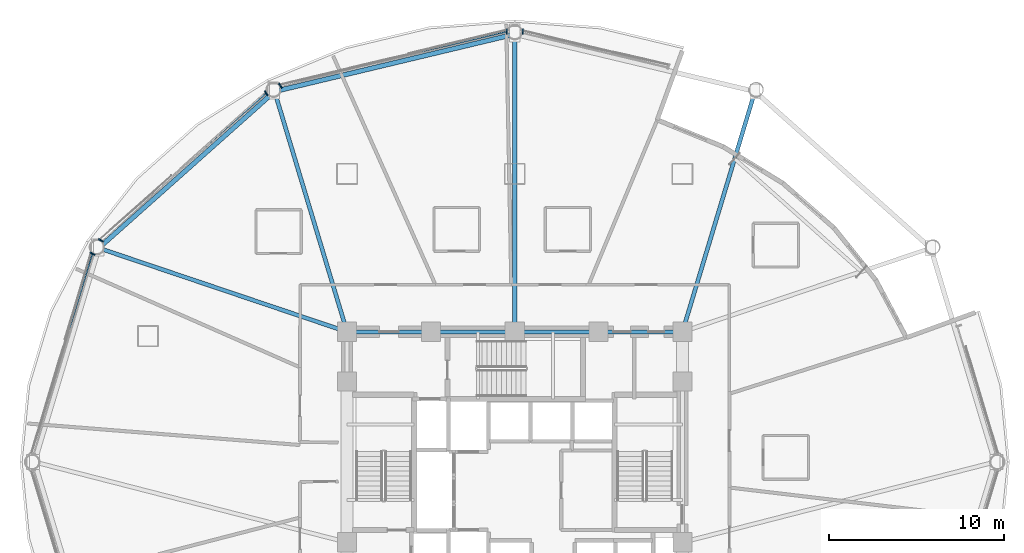
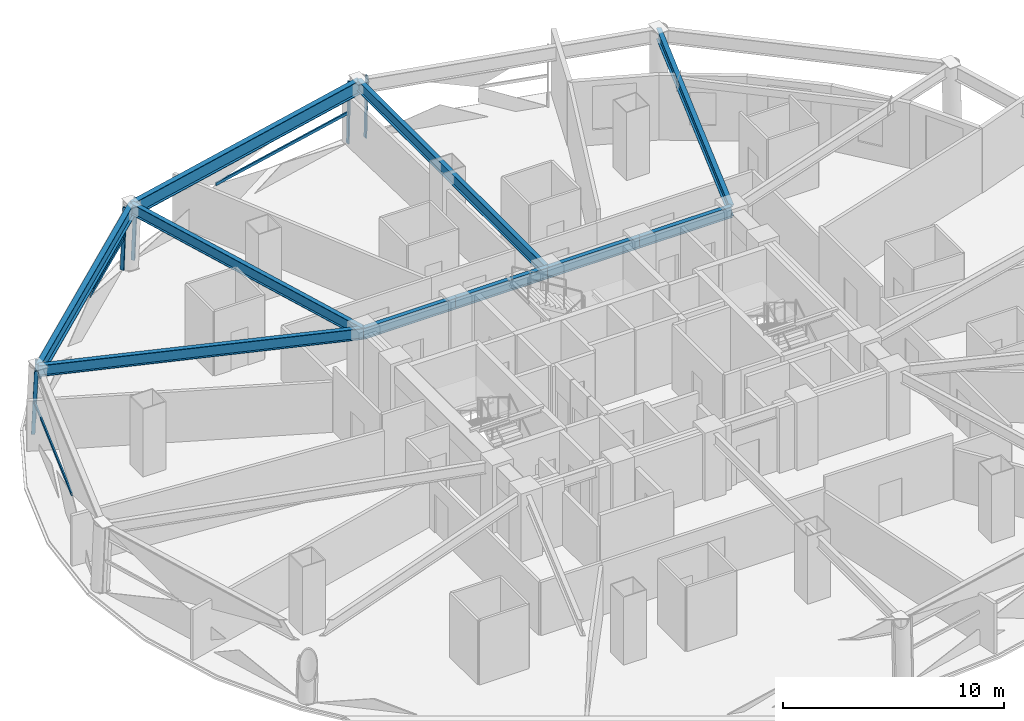
# One storey, part 4 of 16: 10 beams, 9 members, 4 elements without a shape of their own.
"""IFC4 building model written with IfcOpenShell, lengths in metres."""

from ifc_helpers import new_model, si_unit, direction, frame, origin, origin_2d, place, context, subcontext, project, spatial, hollow_rectangle, i_section, extrude, material, layer, layer_set, material_profile, profile_set, type_object, element, aggregate, save


model = new_model("IFC4")

# Units and contexts
model_context = context("Model", 3, precision=1e-05, world=origin(), true_north=direction((0.0, 1.0)))
body_context = subcontext(model_context, "Body", "Model", "MODEL_VIEW")
ifc_project = project(units=[si_unit("LENGTHUNIT", "METRE"), si_unit("AREAUNIT", "SQUARE_METRE"), si_unit("VOLUMEUNIT", "CUBIC_METRE"), si_unit("PLANEANGLEUNIT", "RADIAN"), si_unit("MASSUNIT", "GRAM", prefix="KILO")], contexts=[model_context])

# Site, building, storey
site_placement = place(None, origin())
site = spatial("IfcSite", under=ifc_project, at=site_placement, CompositionType="ELEMENT")
building_placement = place(site_placement, origin())
building = spatial("IfcBuilding", under=site, at=building_placement, Name="Vantalir Tower", CompositionType="ELEMENT")
storey_placement = place(building_placement, frame((0.0, 0.0, 75.75)))
storey = spatial("IfcBuildingStorey", under=building, at=storey_placement, Name="L18", CompositionType="ELEMENT", Elevation=75.75)

# Beams
ifc_material_1 = material(Name="Steel S355", Category="steel")
ifc_material_profile_1 = material_profile(ifc_material_1, i_section(OverallWidth=0.22998046875, OverallDepth=0.616943359375, WebThickness=0.01318359375, FlangeThickness=0.022216796875, at=origin_2d()), Name="Steel S355")
ifc_profile_set_1 = profile_set([ifc_material_profile_1], Name="Steel S355")
beam_type_1 = type_object("IfcBeamType", Name="BM-RB-610x229", PredefinedType="BEAM", material=ifc_profile_set_1)
for number, where, z_axis, x_axis, name in (
    (1, (41.10009765625, 32.449951171875, 3.261962890625), (-1.0, 0.0, 0.0), (0.0, -1.0, 0.0), "L18 Core Coupling Girder 08"),
    (2, (36.300048828125, 32.449951171875, 3.261962890625), (-1.0, 0.0, 0.0), (0.0, -1.0, 0.0), "L18 Core Coupling Girder 09"),
    (3, (31.5, 32.449951171875, 3.261962890625), (-1.0, 0.0, 0.0), (0.0, -1.0, 0.0), "L18 Core Coupling Girder 10"),
    (4, (26.699951171875, 32.449951171875, 3.261962890625), (-1.0, 0.0, 0.0), (0.0, -1.0, 0.0), "L18 Core Coupling Girder 11"),
):
    element("IfcBeam", number, at=place(storey_placement, frame(where, z_axis=z_axis, x_axis=x_axis)), inside=storey, type_object=beam_type_1, Name=name, PredefinedType="BEAM", context=body_context, shape_type="SweptSolid", body=[
        extrude(i_section(OverallWidth=0.22998046875, OverallDepth=0.616943359375, WebThickness=0.01318359375, FlangeThickness=0.022216796875, at=origin_2d()), origin(), (0.0, 0.0, 1.0), 4.800048828125),
    ])
beam_1_placement = place(storey_placement, frame((45.25, 46.212890625, 3.261962890625), z_axis=(-0.288689161262, -0.957422878445, 0.0), x_axis=(0.957422878445, -0.288689161262, 0.0)))
element("IfcBeam", 5, at=beam_1_placement, inside=storey, type_object=beam_type_1, Name="L18 Radial Floor Beam 03", PredefinedType="BEAM", context=body_context, shape_type="SweptSolid", body=[
    extrude(i_section(OverallWidth=0.22998046875, OverallDepth=0.616943359375, WebThickness=0.01318359375, FlangeThickness=0.022216796875, at=origin_2d()), origin(), (0.0, 0.0, 1.0), 14.375),
])
beam_2_placement = place(storey_placement, frame((31.5, 49.4951171875, 3.261962890625), z_axis=(0.0, -1.0, 0.0), x_axis=(1.0, 0.0, 0.0)))
element("IfcBeam", 6, at=beam_2_placement, inside=storey, type_object=beam_type_1, Name="L18 Radial Floor Beam 04", PredefinedType="BEAM", context=body_context, shape_type="SweptSolid", body=[
    extrude(i_section(OverallWidth=0.22998046875, OverallDepth=0.616943359375, WebThickness=0.01318359375, FlangeThickness=0.022216796875, at=origin_2d()), origin(), (0.0, 0.0, 1.0), 17.045166015625),
])
beam_3_placement = place(storey_placement, frame((17.75, 46.212890625, 3.261962890625), z_axis=(0.288689161262, -0.957422878445, 0.0), x_axis=(0.957422878445, 0.288689161262, 0.0)))
element("IfcBeam", 7, at=beam_3_placement, inside=storey, type_object=beam_type_1, Name="L18 Radial Floor Beam 05", PredefinedType="BEAM", context=body_context, shape_type="SweptSolid", body=[
    extrude(i_section(OverallWidth=0.22998046875, OverallDepth=0.616943359375, WebThickness=0.01318359375, FlangeThickness=0.022216796875, at=origin_2d()), origin(), (0.0, 0.0, 1.0), 14.375),
])
beam_4_placement = place(storey_placement, frame((7.68408203125, 37.2470703125, 3.261962890625), z_axis=(0.947506822468, -0.319735549129, 0.0), x_axis=(0.319735549129, 0.947506822468, 0.0)))
element("IfcBeam", 8, at=beam_4_placement, inside=storey, type_object=beam_type_1, Name="L18 Radial Floor Beam 06", PredefinedType="BEAM", context=body_context, shape_type="SweptSolid", body=[
    extrude(i_section(OverallWidth=0.22998046875, OverallDepth=0.616943359375, WebThickness=0.01318359375, FlangeThickness=0.022216796875, at=origin_2d()), origin(), (0.0, 0.0, 1.0), 15.00341796875),
])
ifc_material_2 = material(Name="Steel S460", Category="steel")
ifc_material_profile_2 = material_profile(ifc_material_2, i_section(OverallWidth=0.26806640625, OverallDepth=0.77001953125, WebThickness=0.015625, FlangeThickness=0.025390625, at=origin_2d()), Name="Steel S460")
ifc_profile_set_2 = profile_set([ifc_material_profile_2], Name="Steel S460")
beam_type_2 = type_object("IfcBeamType", Name="BM-RG-762x267", PredefinedType="USERDEFINED", material=ifc_profile_set_2)
beam_5_placement = place(storey_placement, frame((31.5, 49.4951171875, 3.18505859375), z_axis=(-0.972671890468, -0.232183964763, 0.0), x_axis=(0.232183964763, -0.972671890468, 0.0)))
element("IfcBeam", 9, at=beam_5_placement, inside=storey, type_object=beam_type_2, Name="L18 Circumferential Ring Girder 04", ObjectType="GIRDER", PredefinedType="USERDEFINED", context=body_context, shape_type="SweptSolid", body=[
    extrude(i_section(OverallWidth=0.26806640625, OverallDepth=0.77001953125, WebThickness=0.015625, FlangeThickness=0.025390625, at=origin_2d()), origin(), (0.0, 0.0, 1.0), 14.13623046875),
])
beam_6_placement = place(storey_placement, frame((17.75, 46.212890625, 3.18505859375), z_axis=(-0.746733439209, -0.665123425213, 0.0), x_axis=(0.665123425213, -0.746733439209, 0.0)))
element("IfcBeam", 10, at=beam_6_placement, inside=storey, type_object=beam_type_2, Name="L18 Circumferential Ring Girder 05", ObjectType="GIRDER", PredefinedType="USERDEFINED", context=body_context, shape_type="SweptSolid", body=[
    extrude(i_section(OverallWidth=0.26806640625, OverallDepth=0.77001953125, WebThickness=0.015625, FlangeThickness=0.025390625, at=origin_2d()), origin(), (0.0, 0.0, 1.0), 13.47998046875),
])

# Curtain wall, member
ifc_material_3 = material(Name="Champagne-silver PVDF aluminium and double-silver Low-E glass", Category="aluminium")
ifc_layer = layer(ifc_material_3, 0.18994140625)
ifc_layer_set = layer_set([ifc_layer], Name="Champagne-silver PVDF aluminium and double-silver Low-E glass")
curtain_wall_type = type_object("IfcCurtainWallType", Name="CW-DIAMOND-Z1", PredefinedType="USERDEFINED", material=ifc_layer_set)
curtain_wall_1_placement = place(storey_placement, origin())
curtain_wall_1 = element("IfcCurtainWall", 11, at=curtain_wall_1_placement, inside=storey, type_object=curtain_wall_type, Name="L18 Quilted Pyramid-Diamond Curtain Wall S03", ObjectType="UNITISED CURTAIN WALL", PredefinedType="USERDEFINED")
ifc_material_4 = material(Name="Champagne-silver PVDF aluminium 6063-T6", Category="aluminium")
ifc_material_profile_3 = material_profile(ifc_material_4, hollow_rectangle(XDim=0.074951171875, YDim=0.179931640625, WallThickness=0.00390625, at=origin_2d()), Name="Champagne-silver PVDF aluminium 6063-T6")
ifc_profile_set_3 = profile_set([ifc_material_profile_3], Name="Champagne-silver PVDF aluminium 6063-T6")
member_type_1 = type_object("IfcMemberType", Name="CWM-180x75", PredefinedType="MULLION", material=ifc_profile_set_3)
member_1_placement = place(storey_placement, frame((31.95703125, 49.7099609375, 0.044921875), z_axis=(0.0, -0.038486968366, 0.999259102168), x_axis=(1.0, 0.0, 0.0)))
member_1 = element("IfcMember", 12, at=member_1_placement, type_object=member_type_1, Name="CW-L18-S03 Mullion 2", PredefinedType="MULLION", context=body_context, shape_type="SweptSolid", body=[
    extrude(hollow_rectangle(XDim=0.074951171875, YDim=0.179931640625, WallThickness=0.00390625, at=origin_2d()), origin(), (0.0, 0.0, 1.0), 3.482666015625),
])
aggregate(curtain_wall_1, [member_1])

# Curtain wall, members
curtain_wall_2_placement = place(storey_placement, origin())
curtain_wall_2 = element("IfcCurtainWall", 13, at=curtain_wall_2_placement, inside=storey, type_object=curtain_wall_type, Name="L18 Quilted Pyramid-Diamond Curtain Wall S04", ObjectType="UNITISED CURTAIN WALL", PredefinedType="USERDEFINED")
member_2_placement = place(storey_placement, frame((31.04296875, 49.7099609375, 0.044921875), z_axis=(0.0, -0.038486968366, 0.999259102168), x_axis=(1.0, 0.0, 0.0)))
member_2 = element("IfcMember", 14, at=member_2_placement, type_object=member_type_1, Name="CW-L18-S04 Mullion 1", PredefinedType="MULLION", context=body_context, shape_type="SweptSolid", body=[
    extrude(hollow_rectangle(XDim=0.074951171875, YDim=0.179931640625, WallThickness=0.00390625, at=origin_2d()), origin(), (0.0, 0.0, 1.0), 3.482666015625),
])
member_3_placement = place(storey_placement, frame((18.037109375, 46.60302734375, 0.044921875), z_axis=(0.021520879749, -0.033297778114, 0.999213745756), x_axis=(0.839854665326, 0.542811331063, 0.0)))
member_3 = element("IfcMember", 15, at=member_3_placement, type_object=member_type_1, Name="CW-L18-S04 Mullion 2", PredefinedType="MULLION", context=body_context, shape_type="SweptSolid", body=[
    extrude(hollow_rectangle(XDim=0.074951171875, YDim=0.179931640625, WallThickness=0.00390625, at=origin_2d()), origin(), (0.0, 0.0, 1.0), 3.482666015625),
])

curtain_wall_3_placement = place(storey_placement, origin())
curtain_wall_3 = element("IfcCurtainWall", 16, at=curtain_wall_3_placement, inside=storey, type_object=curtain_wall_type, Name="L18 Quilted Pyramid-Diamond Curtain Wall S05", ObjectType="UNITISED CURTAIN WALL", PredefinedType="USERDEFINED")
member_4_placement = place(storey_placement, frame((17.22900390625, 46.180908203125, 0.044921875), z_axis=(0.021520879749, -0.033297778114, 0.999213745756), x_axis=(0.839854665326, 0.542811331063, 0.0)))
member_4 = element("IfcMember", 17, at=member_4_placement, type_object=member_type_1, Name="CW-L18-S05 Mullion 1", PredefinedType="MULLION", context=body_context, shape_type="SweptSolid", body=[
    extrude(hollow_rectangle(XDim=0.074951171875, YDim=0.179931640625, WallThickness=0.00390625, at=origin_2d()), origin(), (0.0, 0.0, 1.0), 3.482666015625),
])
member_5_placement = place(storey_placement, frame((7.740966796875, 37.721923828125, 0.044921875), z_axis=(0.03736000552, -0.019205706402, 0.999117295831), x_axis=(0.457197196227, 0.889365348865, 0.0)))
member_5 = element("IfcMember", 18, at=member_5_placement, type_object=member_type_1, Name="CW-L18-S05 Mullion 2", PredefinedType="MULLION", context=body_context, shape_type="SweptSolid", body=[
    extrude(hollow_rectangle(XDim=0.074951171875, YDim=0.179931640625, WallThickness=0.00390625, at=origin_2d()), origin(), (0.0, 0.0, 1.0), 3.483154296875),
])

# Curtain wall, member
curtain_wall_4_placement = place(storey_placement, origin())
curtain_wall_4 = element("IfcCurtainWall", 19, at=curtain_wall_4_placement, inside=storey, type_object=curtain_wall_type, Name="L18 Quilted Pyramid-Diamond Curtain Wall S06", ObjectType="UNITISED CURTAIN WALL", PredefinedType="USERDEFINED")
member_6_placement = place(storey_placement, frame((7.2548828125, 36.958984375, 0.044921875), z_axis=(0.03736000552, -0.019205706402, 0.999117295831), x_axis=(0.457197196227, 0.889365348865, 0.0)))
member_6 = element("IfcMember", 20, at=member_6_placement, type_object=member_type_1, Name="CW-L18-S06 Mullion 1", PredefinedType="MULLION", context=body_context, shape_type="SweptSolid", body=[
    extrude(hollow_rectangle(XDim=0.074951171875, YDim=0.179931640625, WallThickness=0.00390625, at=origin_2d()), origin(), (0.0, 0.0, 1.0), 3.483154296875),
])

# Member
ifc_material_profile_4 = material_profile(ifc_material_4, hollow_rectangle(XDim=0.074951171875, YDim=0.159912109375, WallThickness=0.00390625, at=origin_2d()), Name="Champagne-silver PVDF aluminium 6063-T6")
ifc_profile_set_4 = profile_set([ifc_material_profile_4], Name="Champagne-silver PVDF aluminium 6063-T6")
member_type_2 = type_object("IfcMemberType", Name="CWT-160x75", PredefinedType="USERDEFINED", material=ifc_profile_set_4)
member_7_placement = place(storey_placement, frame((31.04296875, 49.64306640625, 1.784912109375), z_axis=(-0.97330787506, -0.229503334063, 0.0), x_axis=(0.229503334063, -0.97330787506, 0.0)))
member_7 = element("IfcMember", 21, at=member_7_placement, type_object=member_type_2, Name="CW-L18-S04 Pyramid Fold Ridge Transom", ObjectType="TRANSOM", PredefinedType="USERDEFINED", context=body_context, shape_type="SweptSolid", body=[
    extrude(hollow_rectangle(XDim=0.074951171875, YDim=0.159912109375, WallThickness=0.00390625, at=origin_2d()), origin(), (0.0, 0.0, 1.0), 8.269775390625),
])

aggregate(curtain_wall_2, [member_2, member_3, member_7])

member_8_placement = place(storey_placement, frame((17.26708984375, 46.123046875, 1.784912109375), z_axis=(-0.749747637683, -0.661723869744, 0.0), x_axis=(0.661723869744, -0.749747637683, 0.0)))
member_8 = element("IfcMember", 22, at=member_8_placement, type_object=member_type_2, Name="CW-L18-S05 Pyramid Fold Ridge Transom", ObjectType="TRANSOM", PredefinedType="USERDEFINED", context=body_context, shape_type="SweptSolid", body=[
    extrude(hollow_rectangle(XDim=0.074951171875, YDim=0.159912109375, WallThickness=0.00390625, at=origin_2d()), origin(), (0.0, 0.0, 1.0), 4.817626953125),
])

aggregate(curtain_wall_3, [member_4, member_5, member_8])

member_9_placement = place(storey_placement, frame((7.320068359375, 36.925048828125, 1.784912109375), z_axis=(-0.291055730704, -0.95670609992, 0.0), x_axis=(0.95670609992, -0.291055730704, 0.0)))
member_9 = element("IfcMember", 23, at=member_9_placement, type_object=member_type_2, Name="CW-L18-S06 Pyramid Fold Ridge Transom", ObjectType="TRANSOM", PredefinedType="USERDEFINED", context=body_context, shape_type="SweptSolid", body=[
    extrude(hollow_rectangle(XDim=0.074951171875, YDim=0.159912109375, WallThickness=0.00390625, at=origin_2d()), origin(), (0.0, 0.0, 1.0), 7.431884765625),
])

aggregate(curtain_wall_4, [member_6, member_9])

save(model, "model.ifc")
